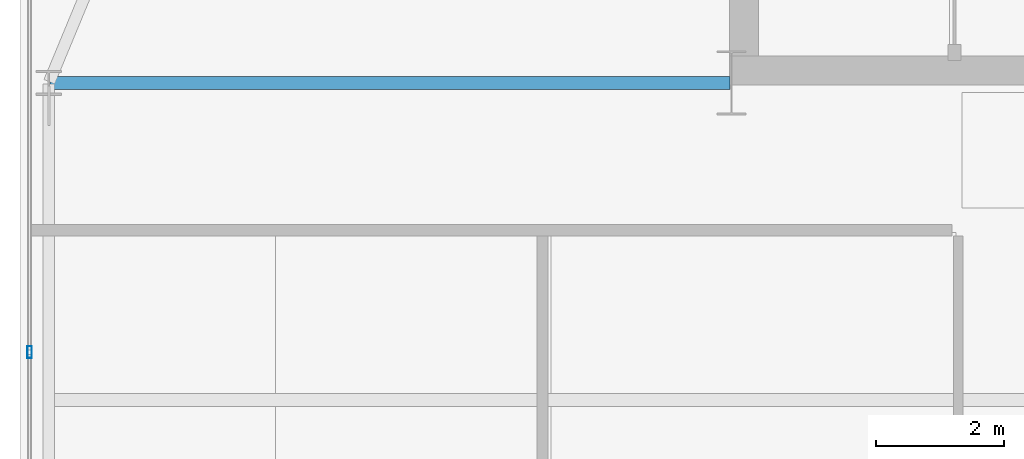
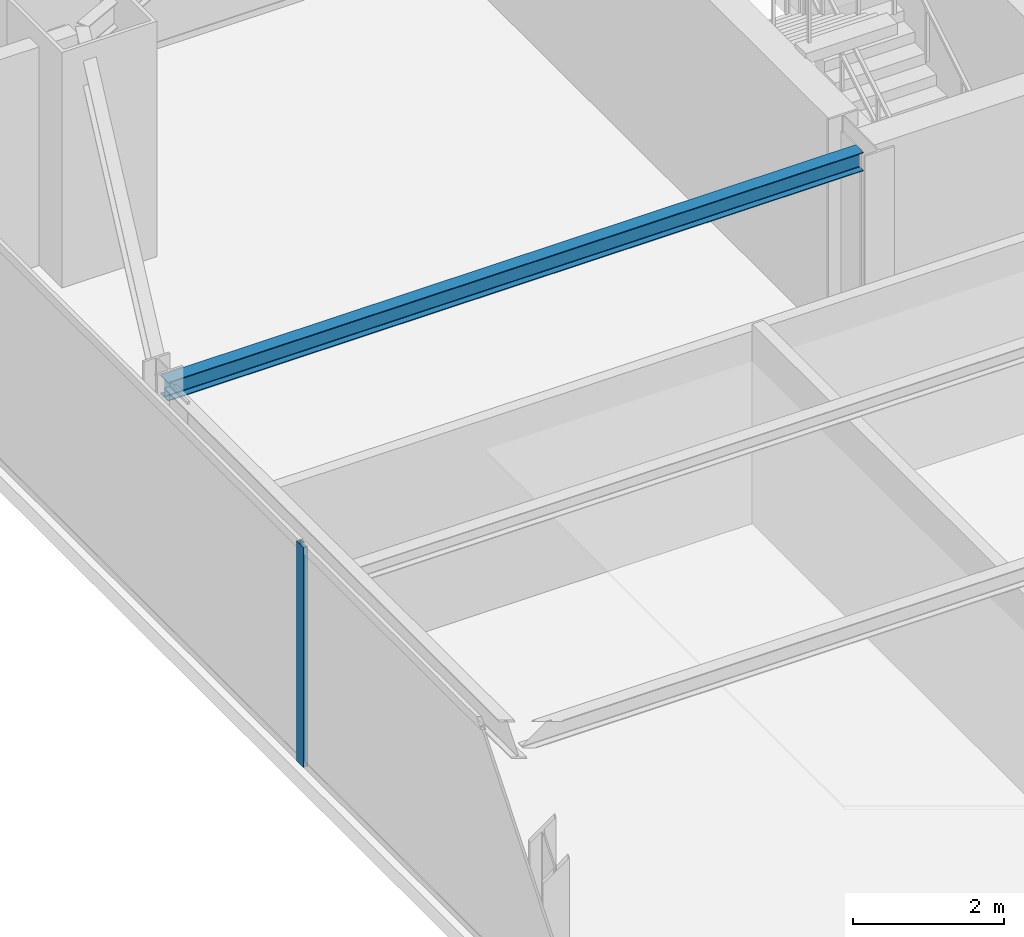
# One storey, part 10 of 32: 1 beam, 1 member, 1 element without a shape of its own.
"""IFC4 building model written with IfcOpenShell, lengths in metres."""

from ifc_helpers import new_model, si_unit, direction, frame, origin, origin_2d, place, context, subcontext, project, spatial, hollow_rectangle, i_section, extrude, source, transform, mapped, material, layer, layer_set, material_profile, profile_set, type_object, type_shapes, element, aggregate, save


model = new_model("IFC4")

# Units and contexts
model_context = context("Model", 3, precision=1e-05, world=origin(), true_north=direction((0.0, 1.0)))
body_context = subcontext(model_context, "Body", "Model", "MODEL_VIEW")
ifc_project = project(units=[si_unit("LENGTHUNIT", "METRE"), si_unit("AREAUNIT", "SQUARE_METRE"), si_unit("VOLUMEUNIT", "CUBIC_METRE"), si_unit("PLANEANGLEUNIT", "RADIAN"), si_unit("MASSUNIT", "GRAM", prefix="KILO")], contexts=[model_context])

# Site, building, storey
site_placement = place(None, origin())
site = spatial("IfcSite", under=ifc_project, at=site_placement, CompositionType="ELEMENT")
building_placement = place(site_placement, origin())
building = spatial("IfcBuilding", under=site, at=building_placement, Name="Varnel Quay Broadcast Tower", CompositionType="ELEMENT")
storey_placement = place(building_placement, frame((0.0, 0.0, 90.800048828125)))
storey = spatial("IfcBuildingStorey", under=building, at=storey_placement, Name="L21", CompositionType="ELEMENT", Elevation=90.800048828125)

# Beam
ifc_material_1 = material(Name="Structural Steel CSA G40.21 350W", Category="steel")
ifc_material_profile_1 = material_profile(ifc_material_1, i_section(OverallWidth=0.202880859375, OverallDepth=0.302978515625, WebThickness=0.007568359375, FlangeThickness=0.01318359375, FilletRadius=0.011962890625, at=origin_2d()), Name="W310X60")
ifc_profile_set_1 = profile_set([ifc_material_profile_1], Name="Structural Steel CSA G40.21 350W")
beam_type = type_object("IfcBeamType", Name="Beam_W310X60", PredefinedType="JOIST", material=ifc_profile_set_1)
shared_shape_1 = source(origin(), body_context, "Body", "SweptSolid", [
    extrude(i_section(OverallWidth=0.202880859375, OverallDepth=0.302978515625, WebThickness=0.007568359375, FlangeThickness=0.01318359375, FilletRadius=0.011962890625, at=origin_2d()), origin(), (0.0, 0.0, 1.0), 10.610107421875),
])
type_shapes(beam_type, [shared_shape_1])
beam_placement = place(storey_placement, frame((4.969970703125, 35.60009765625, 3.3984375), z_axis=(1.0, 0.0, 0.0), x_axis=(0.0, 1.0, 0.0)))
element("IfcBeam", 1, at=beam_placement, inside=storey, type_object=beam_type, Name="L21 West Core Tie Joist", PredefinedType="JOIST", context=body_context, shape_type="MappedRepresentation", body=[
    mapped(shared_shape_1, transform((0.0, 0.0, 0.0), x_axis=(1.0, 0.0, 0.0), y_axis=(0.0, 1.0, 0.0), z_axis=(0.0, 0.0, 1.0), scale=1.0)),
])

# Curtain wall, member
ifc_material_2 = material(Name="Anodised Bronze Aluminium 6063-T6", Category="aluminium")
ifc_layer = layer(ifc_material_2, 0.18994140625, Name="Anodised Bronze Aluminium 6063-T6")
ifc_layer_set = layer_set([ifc_layer], Name="Anodised Bronze Aluminium 6063-T6")
curtain_wall_type = type_object("IfcCurtainWallType", Name="CW_LowerTower", PredefinedType="NOTDEFINED", material=ifc_layer_set)
curtain_wall_placement = place(storey_placement, origin())
curtain_wall = element("IfcCurtainWall", 2, at=curtain_wall_placement, inside=storey, type_object=curtain_wall_type, Name="L21 West Unitised Curtain Wall", PredefinedType="NOTDEFINED")
ifc_material_profile_2 = material_profile(ifc_material_2, hollow_rectangle(XDim=0.070068359375, YDim=0.18994140625, WallThickness=0.00390625, at=origin_2d()), Name="ALU70X190X4")
ifc_profile_set_2 = profile_set([ifc_material_profile_2], Name="Anodised Bronze Aluminium 6063-T6")
member_type = type_object("IfcMemberType", Name="Mull_CWS-02", PredefinedType="MULLION", material=ifc_profile_set_2)
shared_shape_2 = source(origin(), body_context, "Body", "SweptSolid", [
    extrude(hollow_rectangle(XDim=0.070068359375, YDim=0.18994140625, WallThickness=0.00390625, at=origin_2d()), origin(), (0.0, 0.0, 1.0), 3.550048828125),
])
type_shapes(member_type, [shared_shape_2])
member_placement = place(storey_placement, frame((4.64990234375, 31.39990234375, 0.0), z_axis=(0.0, 0.0, 1.0), x_axis=(-1.0, 0.0, 0.0)))
member = element("IfcMember", 3, at=member_placement, type_object=member_type, Name="CWS-02 mullion 3", PredefinedType="MULLION", context=body_context, shape_type="MappedRepresentation", body=[
    mapped(shared_shape_2, transform((0.0, 0.0, 0.0), x_axis=(1.0, 0.0, 0.0), y_axis=(0.0, 1.0, 0.0), z_axis=(0.0, 0.0, 1.0), scale=1.0)),
])
aggregate(curtain_wall, [member])

save(model, "model.ifc")
